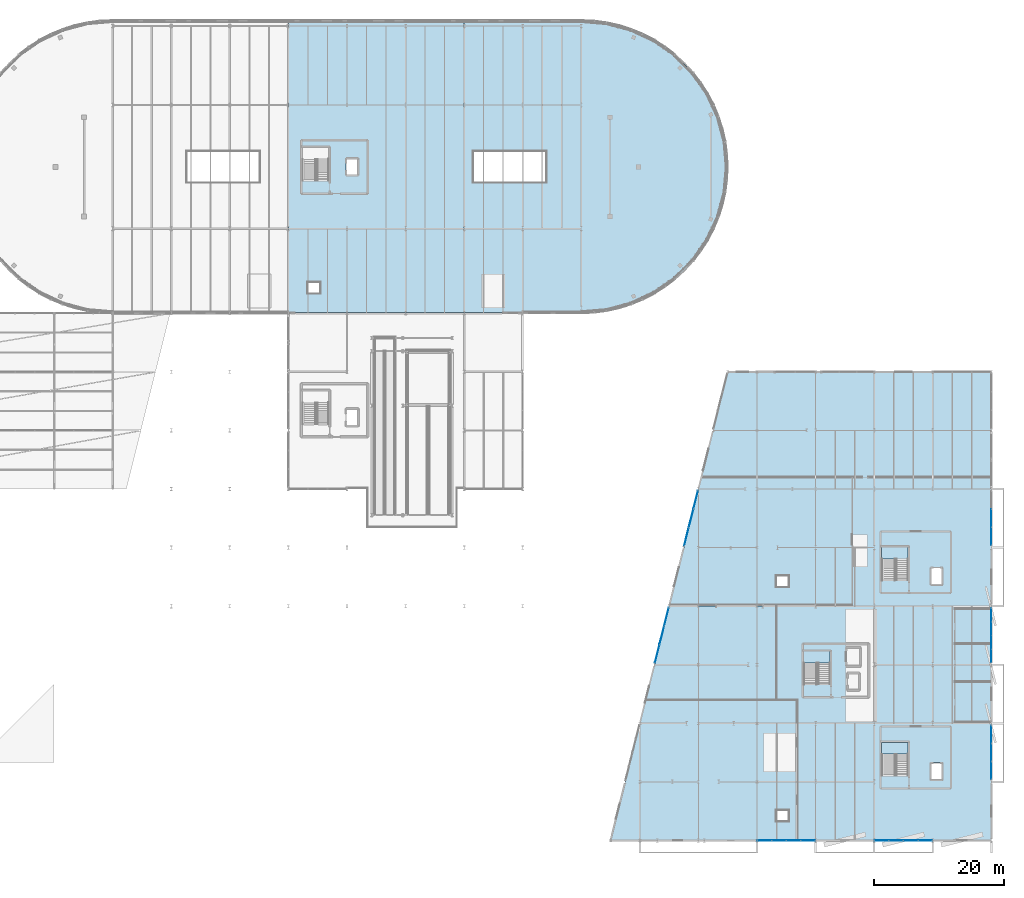
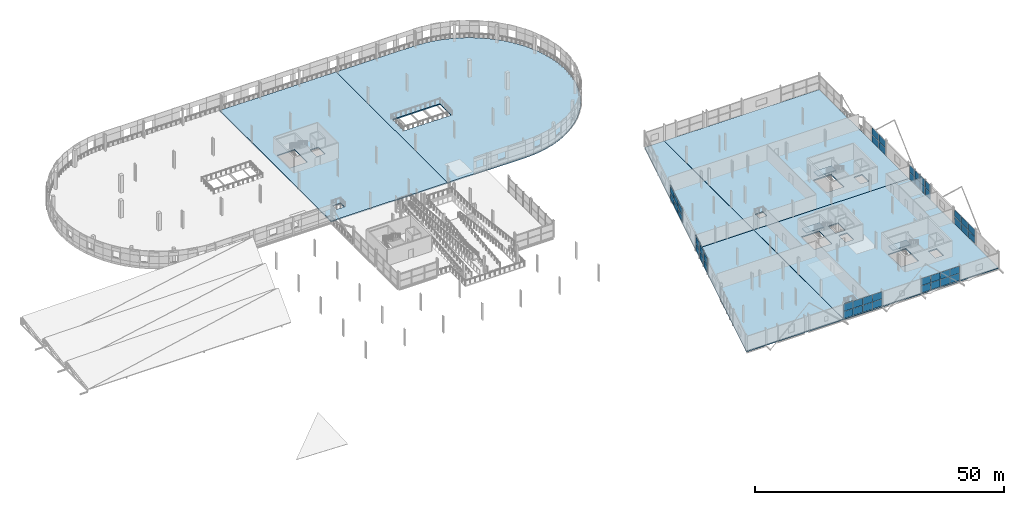
# One storey, part 73 of 103: 46 plates, 9 slabs, 10 elements without a shape of their own.
"""IFC4 building model written with IfcOpenShell, lengths in metres."""

from ifc_helpers import new_model, si_unit, direction, frame, origin, origin_2d, place, context, subcontext, project, spatial, polyline, rectangle, outline, extrude, material, layer, layer_set, type_object, element, aggregate, save


model = new_model("IFC4")

# Units and contexts
model_context = context("Model", 3, precision=1e-05, world=origin(), true_north=direction((0.0, 1.0)))
body_context = subcontext(model_context, "Body", "Model", "MODEL_VIEW")
ifc_project = project(units=[si_unit("LENGTHUNIT", "METRE"), si_unit("AREAUNIT", "SQUARE_METRE"), si_unit("VOLUMEUNIT", "CUBIC_METRE"), si_unit("PLANEANGLEUNIT", "RADIAN"), si_unit("MASSUNIT", "GRAM", prefix="KILO")], contexts=[model_context])

# Site, building, storey
site_placement = place(None, origin())
site = spatial("IfcSite", under=ifc_project, at=site_placement, CompositionType="ELEMENT")
building_placement = place(site_placement, origin())
building = spatial("IfcBuilding", under=site, at=building_placement, Name="Deido Ridge Mobility Hub", CompositionType="ELEMENT")
storey_placement = place(building_placement, frame((0.0, 0.0, 12.60009765625)))
storey = spatial("IfcBuildingStorey", under=building, at=storey_placement, Name="L03", CompositionType="ELEMENT", Elevation=12.60009765625)

# Curtain wall, plates
ifc_material_1 = material(Name="Anodised aluminium EN AW-6063 T6", Category="aluminium")
ifc_layer_1 = layer(ifc_material_1, 0.1650390625, Name="Anodised aluminium EN AW-6063 T6")
ifc_layer_set_1 = layer_set([ifc_layer_1], Name="Anodised aluminium EN AW-6063 T6")
curtain_wall_type_1 = type_object("IfcCurtainWallType", Name="CW-UF-1", PredefinedType="USERDEFINED", material=ifc_layer_set_1)
curtain_wall_1_placement = place(storey_placement, origin())
curtain_wall_1 = element("IfcCurtainWall", 1, at=curtain_wall_1_placement, inside=storey, type_object=curtain_wall_type_1, Name="Unitised curtain wall CW1", ObjectType="UNITISED FACADE", PredefinedType="USERDEFINED")
ifc_material_2 = material(Name="Laminated solar-control low-E glass", Category="glass")
ifc_layer_2 = layer(ifc_material_2, 0.02587890625, Name="Laminated solar-control low-E glass")
ifc_layer_set_2 = layer_set([ifc_layer_2], Name="Laminated solar-control low-E glass")
plate_type_1 = type_object("IfcPlateType", Name="PLT-CWP-26", PredefinedType="CURTAIN_PANEL", material=ifc_layer_set_2)
plate_1_placement = place(storey_placement, frame((145.14404296875, 0.0, 0.0498046875), z_axis=(0.0, 0.0, 1.0), x_axis=(1.0, 0.0, 0.0)))
plate_1 = element("IfcPlate", 2, at=plate_1_placement, type_object=plate_type_1, Name="CW1 panel 1.1", PredefinedType="CURTAIN_PANEL", context=body_context, shape_type="SweptSolid", body=[
    extrude(rectangle(XDim=2.1708984375, YDim=0.02587890625, at=origin_2d()), origin(), (0.0, 0.0, 1.0), 1.72509765625),
])
plate_2_placement = place(storey_placement, frame((145.14404296875, 0.0, 1.824951171875), z_axis=(0.0, 0.0, 1.0), x_axis=(1.0, 0.0, 0.0)))
plate_2 = element("IfcPlate", 3, at=plate_2_placement, type_object=plate_type_1, Name="CW1 panel 1.2", PredefinedType="CURTAIN_PANEL", context=body_context, shape_type="SweptSolid", body=[
    extrude(rectangle(XDim=2.1708984375, YDim=0.02587890625, at=origin_2d()), origin(), (0.0, 0.0, 1.0), 1.72509765625),
])
plate_3_placement = place(storey_placement, frame((147.37744140625, 0.0, 0.0498046875), z_axis=(0.0, 0.0, 1.0), x_axis=(1.0, 0.0, 0.0)))
plate_3 = element("IfcPlate", 4, at=plate_3_placement, type_object=plate_type_1, Name="CW1 panel 2.1", PredefinedType="CURTAIN_PANEL", context=body_context, shape_type="SweptSolid", body=[
    extrude(rectangle(XDim=2.19580078125, YDim=0.02587890625, at=origin_2d()), origin(), (0.0, 0.0, 1.0), 1.72509765625),
])
plate_4_placement = place(storey_placement, frame((147.37744140625, 0.0, 1.824951171875), z_axis=(0.0, 0.0, 1.0), x_axis=(1.0, 0.0, 0.0)))
plate_4 = element("IfcPlate", 5, at=plate_4_placement, type_object=plate_type_1, Name="CW1 panel 2.2", PredefinedType="CURTAIN_PANEL", context=body_context, shape_type="SweptSolid", body=[
    extrude(rectangle(XDim=2.19580078125, YDim=0.02587890625, at=origin_2d()), origin(), (0.0, 0.0, 1.0), 1.72509765625),
])
plate_5_placement = place(storey_placement, frame((149.62353515625, 0.0, 0.0498046875), z_axis=(0.0, 0.0, 1.0), x_axis=(1.0, 0.0, 0.0)))
plate_5 = element("IfcPlate", 6, at=plate_5_placement, type_object=plate_type_1, Name="CW1 panel 3.1", PredefinedType="CURTAIN_PANEL", context=body_context, shape_type="SweptSolid", body=[
    extrude(rectangle(XDim=2.19580078125, YDim=0.02587890625, at=origin_2d()), origin(), (0.0, 0.0, 1.0), 1.72509765625),
])
plate_6_placement = place(storey_placement, frame((149.62353515625, 0.0, 1.824951171875), z_axis=(0.0, 0.0, 1.0), x_axis=(1.0, 0.0, 0.0)))
plate_6 = element("IfcPlate", 7, at=plate_6_placement, type_object=plate_type_1, Name="CW1 panel 3.2", PredefinedType="CURTAIN_PANEL", context=body_context, shape_type="SweptSolid", body=[
    extrude(rectangle(XDim=2.19580078125, YDim=0.02587890625, at=origin_2d()), origin(), (0.0, 0.0, 1.0), 1.72509765625),
])
plate_7_placement = place(storey_placement, frame((151.85693359375, 0.0, 0.0498046875), z_axis=(0.0, 0.0, 1.0), x_axis=(1.0, 0.0, 0.0)))
plate_7 = element("IfcPlate", 8, at=plate_7_placement, type_object=plate_type_1, Name="CW1 panel 4.1", PredefinedType="CURTAIN_PANEL", context=body_context, shape_type="SweptSolid", body=[
    extrude(rectangle(XDim=2.1708984375, YDim=0.02587890625, at=origin_2d()), origin(), (0.0, 0.0, 1.0), 1.72509765625),
])
plate_8_placement = place(storey_placement, frame((151.85693359375, 0.0, 1.824951171875), z_axis=(0.0, 0.0, 1.0), x_axis=(1.0, 0.0, 0.0)))
plate_8 = element("IfcPlate", 9, at=plate_8_placement, type_object=plate_type_1, Name="CW1 panel 4.2", PredefinedType="CURTAIN_PANEL", context=body_context, shape_type="SweptSolid", body=[
    extrude(rectangle(XDim=2.1708984375, YDim=0.02587890625, at=origin_2d()), origin(), (0.0, 0.0, 1.0), 1.72509765625),
])
aggregate(curtain_wall_1, [plate_1, plate_2, plate_3, plate_4, plate_5, plate_6, plate_7, plate_8])

curtain_wall_2_placement = place(storey_placement, origin())
curtain_wall_2 = element("IfcCurtainWall", 10, at=curtain_wall_2_placement, inside=storey, type_object=curtain_wall_type_1, Name="Unitised curtain wall CW1", ObjectType="UNITISED FACADE", PredefinedType="USERDEFINED")
plate_9_placement = place(storey_placement, frame((180.0, 28.362548828125, 0.0498046875), z_axis=(0.0, 0.0, 1.0), x_axis=(0.0, 1.0, 0.0)))
plate_9 = element("IfcPlate", 11, at=plate_9_placement, type_object=plate_type_1, Name="CW1 panel 1.1", PredefinedType="CURTAIN_PANEL", context=body_context, shape_type="SweptSolid", body=[
    extrude(rectangle(XDim=2.02490234375, YDim=0.02587890625, at=origin_2d()), origin(), (0.0, 0.0, 1.0), 1.72509765625),
])
plate_10_placement = place(storey_placement, frame((180.0, 28.362548828125, 1.824951171875), z_axis=(0.0, 0.0, 1.0), x_axis=(0.0, 1.0, 0.0)))
plate_10 = element("IfcPlate", 12, at=plate_10_placement, type_object=plate_type_1, Name="CW1 panel 1.2", PredefinedType="CURTAIN_PANEL", context=body_context, shape_type="SweptSolid", body=[
    extrude(rectangle(XDim=2.02490234375, YDim=0.02587890625, at=origin_2d()), origin(), (0.0, 0.0, 1.0), 1.72509765625),
])
plate_11_placement = place(storey_placement, frame((180.0, 30.449951171875, 0.0498046875), z_axis=(0.0, 0.0, 1.0), x_axis=(0.0, 1.0, 0.0)))
plate_11 = element("IfcPlate", 13, at=plate_11_placement, type_object=plate_type_1, Name="CW1 panel 2.1", PredefinedType="CURTAIN_PANEL", context=body_context, shape_type="SweptSolid", body=[
    extrude(rectangle(XDim=2.050048828125, YDim=0.02587890625, at=origin_2d()), origin(), (0.0, 0.0, 1.0), 1.72509765625),
])
plate_12_placement = place(storey_placement, frame((180.0, 30.449951171875, 1.824951171875), z_axis=(0.0, 0.0, 1.0), x_axis=(0.0, 1.0, 0.0)))
plate_12 = element("IfcPlate", 14, at=plate_12_placement, type_object=plate_type_1, Name="CW1 panel 2.2", PredefinedType="CURTAIN_PANEL", context=body_context, shape_type="SweptSolid", body=[
    extrude(rectangle(XDim=2.050048828125, YDim=0.02587890625, at=origin_2d()), origin(), (0.0, 0.0, 1.0), 1.72509765625),
])
plate_13_placement = place(storey_placement, frame((180.0, 32.550048828125, 0.0498046875), z_axis=(0.0, 0.0, 1.0), x_axis=(0.0, 1.0, 0.0)))
plate_13 = element("IfcPlate", 15, at=plate_13_placement, type_object=plate_type_1, Name="CW1 panel 3.1", PredefinedType="CURTAIN_PANEL", context=body_context, shape_type="SweptSolid", body=[
    extrude(rectangle(XDim=2.050048828125, YDim=0.02587890625, at=origin_2d()), origin(), (0.0, 0.0, 1.0), 1.72509765625),
])
plate_14_placement = place(storey_placement, frame((180.0, 32.550048828125, 1.824951171875), z_axis=(0.0, 0.0, 1.0), x_axis=(0.0, 1.0, 0.0)))
plate_14 = element("IfcPlate", 16, at=plate_14_placement, type_object=plate_type_1, Name="CW1 panel 3.2", PredefinedType="CURTAIN_PANEL", context=body_context, shape_type="SweptSolid", body=[
    extrude(rectangle(XDim=2.050048828125, YDim=0.02587890625, at=origin_2d()), origin(), (0.0, 0.0, 1.0), 1.72509765625),
])
plate_15_placement = place(storey_placement, frame((180.0, 34.637451171875, 0.0498046875), z_axis=(0.0, 0.0, 1.0), x_axis=(0.0, 1.0, 0.0)))
plate_15 = element("IfcPlate", 17, at=plate_15_placement, type_object=plate_type_1, Name="CW1 panel 4.1", PredefinedType="CURTAIN_PANEL", context=body_context, shape_type="SweptSolid", body=[
    extrude(rectangle(XDim=2.02490234375, YDim=0.02587890625, at=origin_2d()), origin(), (0.0, 0.0, 1.0), 1.72509765625),
])
plate_16_placement = place(storey_placement, frame((180.0, 34.637451171875, 1.824951171875), z_axis=(0.0, 0.0, 1.0), x_axis=(0.0, 1.0, 0.0)))
plate_16 = element("IfcPlate", 18, at=plate_16_placement, type_object=plate_type_1, Name="CW1 panel 4.2", PredefinedType="CURTAIN_PANEL", context=body_context, shape_type="SweptSolid", body=[
    extrude(rectangle(XDim=2.02490234375, YDim=0.02587890625, at=origin_2d()), origin(), (0.0, 0.0, 1.0), 1.72509765625),
])
aggregate(curtain_wall_2, [plate_9, plate_10, plate_11, plate_12, plate_13, plate_14, plate_15, plate_16])

ifc_layer_3 = layer(ifc_material_1, 0.195068359375, Name="Anodised aluminium EN AW-6063 T6")
ifc_layer_set_3 = layer_set([ifc_layer_3], Name="Anodised aluminium EN AW-6063 T6")
curtain_wall_type_2 = type_object("IfcCurtainWallType", Name="CW-UF-3", PredefinedType="USERDEFINED", material=ifc_layer_set_3)
curtain_wall_3_placement = place(storey_placement, origin())
curtain_wall_3 = element("IfcCurtainWall", 19, at=curtain_wall_3_placement, inside=storey, type_object=curtain_wall_type_2, Name="Unitised curtain wall CW3", ObjectType="UNITISED FACADE", PredefinedType="USERDEFINED")
ifc_layer_4 = layer(ifc_material_2, 0.031005859375, Name="Laminated solar-control low-E glass")
ifc_layer_set_4 = layer_set([ifc_layer_4], Name="Laminated solar-control low-E glass")
plate_type_2 = type_object("IfcPlateType", Name="PLT-CWP-31", PredefinedType="CURTAIN_PANEL", material=ifc_layer_set_4)
plate_17_placement = place(storey_placement, frame((163.145751953125, 0.0, 0.059814453125), z_axis=(0.0, 0.0, 1.0), x_axis=(1.0, 0.0, 0.0)))
plate_17 = element("IfcPlate", 20, at=plate_17_placement, type_object=plate_type_2, Name="CW3 panel 1.1", PredefinedType="CURTAIN_PANEL", context=body_context, shape_type="SweptSolid", body=[
    extrude(rectangle(XDim=2.15625, YDim=0.031005859375, at=origin_2d()), origin(), (0.0, 0.0, 1.0), 1.7099609375),
])
plate_18_placement = place(storey_placement, frame((163.145751953125, 0.0, 1.829833984375), z_axis=(0.0, 0.0, 1.0), x_axis=(1.0, 0.0, 0.0)))
plate_18 = element("IfcPlate", 21, at=plate_18_placement, type_object=plate_type_2, Name="CW3 panel 1.2", PredefinedType="CURTAIN_PANEL", context=body_context, shape_type="SweptSolid", body=[
    extrude(rectangle(XDim=2.15625, YDim=0.031005859375, at=origin_2d()), origin(), (0.0, 0.0, 1.0), 1.7099609375),
])
plate_19_placement = place(storey_placement, frame((165.376953125, 0.0, 0.059814453125), z_axis=(0.0, 0.0, 1.0), x_axis=(1.0, 0.0, 0.0)))
plate_19 = element("IfcPlate", 22, at=plate_19_placement, type_object=plate_type_2, Name="CW3 panel 2.1", PredefinedType="CURTAIN_PANEL", context=body_context, shape_type="SweptSolid", body=[
    extrude(rectangle(XDim=2.18603515625, YDim=0.031005859375, at=origin_2d()), origin(), (0.0, 0.0, 1.0), 1.7099609375),
])
plate_20_placement = place(storey_placement, frame((165.376953125, 0.0, 1.829833984375), z_axis=(0.0, 0.0, 1.0), x_axis=(1.0, 0.0, 0.0)))
plate_20 = element("IfcPlate", 23, at=plate_20_placement, type_object=plate_type_2, Name="CW3 panel 2.2", PredefinedType="CURTAIN_PANEL", context=body_context, shape_type="SweptSolid", body=[
    extrude(rectangle(XDim=2.18603515625, YDim=0.031005859375, at=origin_2d()), origin(), (0.0, 0.0, 1.0), 1.7099609375),
])
plate_21_placement = place(storey_placement, frame((167.623046875, 0.0, 0.059814453125), z_axis=(0.0, 0.0, 1.0), x_axis=(1.0, 0.0, 0.0)))
plate_21 = element("IfcPlate", 24, at=plate_21_placement, type_object=plate_type_2, Name="CW3 panel 3.1", PredefinedType="CURTAIN_PANEL", context=body_context, shape_type="SweptSolid", body=[
    extrude(rectangle(XDim=2.18603515625, YDim=0.031005859375, at=origin_2d()), origin(), (0.0, 0.0, 1.0), 1.7099609375),
])
plate_22_placement = place(storey_placement, frame((167.623046875, 0.0, 1.829833984375), z_axis=(0.0, 0.0, 1.0), x_axis=(1.0, 0.0, 0.0)))
plate_22 = element("IfcPlate", 25, at=plate_22_placement, type_object=plate_type_2, Name="CW3 panel 3.2", PredefinedType="CURTAIN_PANEL", context=body_context, shape_type="SweptSolid", body=[
    extrude(rectangle(XDim=2.18603515625, YDim=0.031005859375, at=origin_2d()), origin(), (0.0, 0.0, 1.0), 1.7099609375),
])
plate_23_placement = place(storey_placement, frame((169.854248046875, 0.0, 0.059814453125), z_axis=(0.0, 0.0, 1.0), x_axis=(1.0, 0.0, 0.0)))
plate_23 = element("IfcPlate", 26, at=plate_23_placement, type_object=plate_type_2, Name="CW3 panel 4.1", PredefinedType="CURTAIN_PANEL", context=body_context, shape_type="SweptSolid", body=[
    extrude(rectangle(XDim=2.15625, YDim=0.031005859375, at=origin_2d()), origin(), (0.0, 0.0, 1.0), 1.7099609375),
])
plate_24_placement = place(storey_placement, frame((169.854248046875, 0.0, 1.829833984375), z_axis=(0.0, 0.0, 1.0), x_axis=(1.0, 0.0, 0.0)))
plate_24 = element("IfcPlate", 27, at=plate_24_placement, type_object=plate_type_2, Name="CW3 panel 4.2", PredefinedType="CURTAIN_PANEL", context=body_context, shape_type="SweptSolid", body=[
    extrude(rectangle(XDim=2.15625, YDim=0.031005859375, at=origin_2d()), origin(), (0.0, 0.0, 1.0), 1.7099609375),
])
aggregate(curtain_wall_3, [plate_17, plate_18, plate_19, plate_20, plate_21, plate_22, plate_23, plate_24])

curtain_wall_4_placement = place(storey_placement, origin())
curtain_wall_4 = element("IfcCurtainWall", 28, at=curtain_wall_4_placement, inside=storey, type_object=curtain_wall_type_2, Name="Unitised curtain wall CW3", ObjectType="UNITISED FACADE", PredefinedType="USERDEFINED")
plate_25_placement = place(storey_placement, frame((180.0, 46.715087890625, 0.059814453125), z_axis=(0.0, 0.0, 1.0), x_axis=(0.0, 1.0, 0.0)))
plate_25 = element("IfcPlate", 29, at=plate_25_placement, type_object=plate_type_2, Name="CW3 panel 1.1", PredefinedType="CURTAIN_PANEL", context=body_context, shape_type="SweptSolid", body=[
    extrude(rectangle(XDim=2.7099609375, YDim=0.031005859375, at=origin_2d()), origin(), (0.0, 0.0, 1.0), 1.7099609375),
])
plate_26_placement = place(storey_placement, frame((180.0, 46.715087890625, 1.829833984375), z_axis=(0.0, 0.0, 1.0), x_axis=(0.0, 1.0, 0.0)))
plate_26 = element("IfcPlate", 30, at=plate_26_placement, type_object=plate_type_2, Name="CW3 panel 1.2", PredefinedType="CURTAIN_PANEL", context=body_context, shape_type="SweptSolid", body=[
    extrude(rectangle(XDim=2.7099609375, YDim=0.031005859375, at=origin_2d()), origin(), (0.0, 0.0, 1.0), 1.7099609375),
])
plate_27_placement = place(storey_placement, frame((180.0, 49.5, 0.059814453125), z_axis=(0.0, 0.0, 1.0), x_axis=(0.0, 1.0, 0.0)))
plate_27 = element("IfcPlate", 31, at=plate_27_placement, type_object=plate_type_2, Name="CW3 panel 2.1", PredefinedType="CURTAIN_PANEL", context=body_context, shape_type="SweptSolid", body=[
    extrude(rectangle(XDim=2.739990234375, YDim=0.031005859375, at=origin_2d()), origin(), (0.0, 0.0, 1.0), 1.7099609375),
])
plate_28_placement = place(storey_placement, frame((180.0, 49.5, 1.829833984375), z_axis=(0.0, 0.0, 1.0), x_axis=(0.0, 1.0, 0.0)))
plate_28 = element("IfcPlate", 32, at=plate_28_placement, type_object=plate_type_2, Name="CW3 panel 2.2", PredefinedType="CURTAIN_PANEL", context=body_context, shape_type="SweptSolid", body=[
    extrude(rectangle(XDim=2.739990234375, YDim=0.031005859375, at=origin_2d()), origin(), (0.0, 0.0, 1.0), 1.7099609375),
])
aggregate(curtain_wall_4, [plate_25, plate_26, plate_27, plate_28])

ifc_layer_5 = layer(ifc_material_1, 0.2099609375, Name="Anodised aluminium EN AW-6063 T6")
ifc_layer_set_5 = layer_set([ifc_layer_5], Name="Anodised aluminium EN AW-6063 T6")
curtain_wall_type_3 = type_object("IfcCurtainWallType", Name="CW-UF-4", PredefinedType="USERDEFINED", material=ifc_layer_set_5)
curtain_wall_5_placement = place(storey_placement, origin())
curtain_wall_5 = element("IfcCurtainWall", 33, at=curtain_wall_5_placement, inside=storey, type_object=curtain_wall_type_3, Name="Unitised curtain wall CW4", ObjectType="UNITISED FACADE", PredefinedType="USERDEFINED")
plate_29_placement = place(storey_placement, frame((128.671630859375, 28.686279296875, 0.059814453125), z_axis=(0.0, 0.0, 1.0), x_axis=(0.242530284285, 0.970143835317, 0.0)))
plate_29 = element("IfcPlate", 34, at=plate_29_placement, type_object=plate_type_2, Name="CW4 panel 1.1", PredefinedType="CURTAIN_PANEL", context=body_context, shape_type="SweptSolid", body=[
    extrude(rectangle(XDim=2.84716796875, YDim=0.031005859375, at=origin_2d()), origin(), (0.0, 0.0, 1.0), 1.7099609375),
])
plate_30_placement = place(storey_placement, frame((128.671630859375, 28.686279296875, 1.829833984375), z_axis=(0.0, 0.0, 1.0), x_axis=(0.242530284285, 0.970143835317, 0.0)))
plate_30 = element("IfcPlate", 35, at=plate_30_placement, type_object=plate_type_2, Name="CW4 panel 1.2", PredefinedType="CURTAIN_PANEL", context=body_context, shape_type="SweptSolid", body=[
    extrude(rectangle(XDim=2.84716796875, YDim=0.031005859375, at=origin_2d()), origin(), (0.0, 0.0, 1.0), 1.7099609375),
])
plate_31_placement = place(storey_placement, frame((129.38037109375, 31.521240234375, 0.059814453125), z_axis=(0.0, 0.0, 1.0), x_axis=(0.242530284285, 0.970143835317, 0.0)))
plate_31 = element("IfcPlate", 36, at=plate_31_placement, type_object=plate_type_2, Name="CW4 panel 2.1", PredefinedType="CURTAIN_PANEL", context=body_context, shape_type="SweptSolid", body=[
    extrude(rectangle(XDim=2.877197265625, YDim=0.031005859375, at=origin_2d()), origin(), (0.0, 0.0, 1.0), 1.7099609375),
])
plate_32_placement = place(storey_placement, frame((129.38037109375, 31.521240234375, 1.829833984375), z_axis=(0.0, 0.0, 1.0), x_axis=(0.242530284285, 0.970143835317, 0.0)))
plate_32 = element("IfcPlate", 37, at=plate_32_placement, type_object=plate_type_2, Name="CW4 panel 2.2", PredefinedType="CURTAIN_PANEL", context=body_context, shape_type="SweptSolid", body=[
    extrude(rectangle(XDim=2.877197265625, YDim=0.031005859375, at=origin_2d()), origin(), (0.0, 0.0, 1.0), 1.7099609375),
])
plate_33_placement = place(storey_placement, frame((130.089111328125, 34.35595703125, 0.059814453125), z_axis=(0.0, 0.0, 1.0), x_axis=(0.242530284285, 0.970143835317, 0.0)))
plate_33 = element("IfcPlate", 38, at=plate_33_placement, type_object=plate_type_2, Name="CW4 panel 3.1", PredefinedType="CURTAIN_PANEL", context=body_context, shape_type="SweptSolid", body=[
    extrude(rectangle(XDim=2.84716796875, YDim=0.031005859375, at=origin_2d()), origin(), (0.0, 0.0, 1.0), 1.7099609375),
])
plate_34_placement = place(storey_placement, frame((130.089111328125, 34.35595703125, 1.829833984375), z_axis=(0.0, 0.0, 1.0), x_axis=(0.242530284285, 0.970143835317, 0.0)))
plate_34 = element("IfcPlate", 39, at=plate_34_placement, type_object=plate_type_2, Name="CW4 panel 3.2", PredefinedType="CURTAIN_PANEL", context=body_context, shape_type="SweptSolid", body=[
    extrude(rectangle(XDim=2.84716796875, YDim=0.031005859375, at=origin_2d()), origin(), (0.0, 0.0, 1.0), 1.7099609375),
])
aggregate(curtain_wall_5, [plate_29, plate_30, plate_31, plate_32, plate_33, plate_34])

ifc_layer_6 = layer(ifc_material_1, 0.239990234375, Name="Anodised aluminium EN AW-6063 T6")
ifc_layer_set_6 = layer_set([ifc_layer_6], Name="Anodised aluminium EN AW-6063 T6")
curtain_wall_type_4 = type_object("IfcCurtainWallType", Name="CW-UF-6", PredefinedType="USERDEFINED", material=ifc_layer_set_6)
curtain_wall_6_placement = place(storey_placement, origin())
curtain_wall_6 = element("IfcCurtainWall", 40, at=curtain_wall_6_placement, inside=storey, type_object=curtain_wall_type_4, Name="Unitised curtain wall CW6", ObjectType="UNITISED FACADE", PredefinedType="USERDEFINED")
ifc_layer_7 = layer(ifc_material_2, 0.034912109375, Name="Laminated solar-control low-E glass")
ifc_layer_set_7 = layer_set([ifc_layer_7], Name="Laminated solar-control low-E glass")
plate_type_3 = type_object("IfcPlateType", Name="PLT-CWP-35", PredefinedType="CURTAIN_PANEL", material=ifc_layer_set_7)
plate_35_placement = place(storey_placement, frame((133.163330078125, 46.653564453125, 0.06982421875), z_axis=(0.0, 0.0, 1.0), x_axis=(0.242530310632, 0.970143828731, 0.0)))
plate_35 = element("IfcPlate", 41, at=plate_35_placement, type_object=plate_type_3, Name="CW6 panel 1.1", PredefinedType="CURTAIN_PANEL", context=body_context, shape_type="SweptSolid", body=[
    extrude(rectangle(XDim=2.8466796875, YDim=0.034912109375, at=origin_2d()), origin(), (0.0, 0.0, 1.0), 1.6201171875),
])
plate_36_placement = place(storey_placement, frame((133.163330078125, 46.653564453125, 1.759765625), z_axis=(0.0, 0.0, 1.0), x_axis=(0.242530310632, 0.970143828731, 0.0)))
plate_36 = element("IfcPlate", 42, at=plate_36_placement, type_object=plate_type_3, Name="CW6 panel 1.2", PredefinedType="CURTAIN_PANEL", context=body_context, shape_type="SweptSolid", body=[
    extrude(rectangle(XDim=2.8466796875, YDim=0.034912109375, at=origin_2d()), origin(), (0.0, 0.0, 1.0), 1.6201171875),
])
plate_37_placement = place(storey_placement, frame((133.875, 49.5, 0.06982421875), z_axis=(0.0, 0.0, 1.0), x_axis=(0.242530310632, 0.970143828731, 0.0)))
plate_37 = element("IfcPlate", 43, at=plate_37_placement, type_object=plate_type_3, Name="CW6 panel 2.1", PredefinedType="CURTAIN_PANEL", context=body_context, shape_type="SweptSolid", body=[
    extrude(rectangle(XDim=2.881591796875, YDim=0.034912109375, at=origin_2d()), origin(), (0.0, 0.0, 1.0), 1.6201171875),
])
plate_38_placement = place(storey_placement, frame((133.875, 49.5, 1.759765625), z_axis=(0.0, 0.0, 1.0), x_axis=(0.242530310632, 0.970143828731, 0.0)))
plate_38 = element("IfcPlate", 44, at=plate_38_placement, type_object=plate_type_3, Name="CW6 panel 2.2", PredefinedType="CURTAIN_PANEL", context=body_context, shape_type="SweptSolid", body=[
    extrude(rectangle(XDim=2.881591796875, YDim=0.034912109375, at=origin_2d()), origin(), (0.0, 0.0, 1.0), 1.6201171875),
])
plate_39_placement = place(storey_placement, frame((134.586669921875, 52.346435546875, 0.06982421875), z_axis=(0.0, 0.0, 1.0), x_axis=(0.242530310632, 0.970143828731, 0.0)))
plate_39 = element("IfcPlate", 45, at=plate_39_placement, type_object=plate_type_3, Name="CW6 panel 3.1", PredefinedType="CURTAIN_PANEL", context=body_context, shape_type="SweptSolid", body=[
    extrude(rectangle(XDim=2.8466796875, YDim=0.034912109375, at=origin_2d()), origin(), (0.0, 0.0, 1.0), 1.6201171875),
])
plate_40_placement = place(storey_placement, frame((134.586669921875, 52.346435546875, 1.759765625), z_axis=(0.0, 0.0, 1.0), x_axis=(0.242530310632, 0.970143828731, 0.0)))
plate_40 = element("IfcPlate", 46, at=plate_40_placement, type_object=plate_type_3, Name="CW6 panel 3.2", PredefinedType="CURTAIN_PANEL", context=body_context, shape_type="SweptSolid", body=[
    extrude(rectangle(XDim=2.8466796875, YDim=0.034912109375, at=origin_2d()), origin(), (0.0, 0.0, 1.0), 1.6201171875),
])
aggregate(curtain_wall_6, [plate_35, plate_36, plate_37, plate_38, plate_39, plate_40])

ifc_layer_8 = layer(ifc_material_1, 0.2548828125, Name="Anodised aluminium EN AW-6063 T6")
ifc_layer_set_8 = layer_set([ifc_layer_8], Name="Anodised aluminium EN AW-6063 T6")
curtain_wall_type_5 = type_object("IfcCurtainWallType", Name="CW-UF-7", PredefinedType="USERDEFINED", material=ifc_layer_set_8)
curtain_wall_7_placement = place(storey_placement, origin())
curtain_wall_7 = element("IfcCurtainWall", 47, at=curtain_wall_7_placement, inside=storey, type_object=curtain_wall_type_5, Name="Unitised curtain wall CW7", ObjectType="UNITISED FACADE", PredefinedType="USERDEFINED")
ifc_layer_9 = layer(ifc_material_2, 0.0390625, Name="Laminated solar-control low-E glass")
ifc_layer_set_9 = layer_set([ifc_layer_9], Name="Laminated solar-control low-E glass")
plate_type_4 = type_object("IfcPlateType", Name="PLT-CWP-39", PredefinedType="CURTAIN_PANEL", material=ifc_layer_set_9)
plate_41_placement = place(storey_placement, frame((180.0, 10.719970703125, 0.080078125), z_axis=(0.0, 0.0, 1.0), x_axis=(0.0, 1.0, 0.0)))
plate_41 = element("IfcPlate", 48, at=plate_41_placement, type_object=plate_type_4, Name="CW7 panel 1.1", PredefinedType="CURTAIN_PANEL", context=body_context, shape_type="SweptSolid", body=[
    extrude(rectangle(XDim=2.679931640625, YDim=0.0390625, at=origin_2d()), origin(), (0.0, 0.0, 1.0), 1.679931640625),
])
plate_42_placement = place(storey_placement, frame((180.0, 10.719970703125, 1.83984375), z_axis=(0.0, 0.0, 1.0), x_axis=(0.0, 1.0, 0.0)))
plate_42 = element("IfcPlate", 49, at=plate_42_placement, type_object=plate_type_4, Name="CW7 panel 1.2", PredefinedType="CURTAIN_PANEL", context=body_context, shape_type="SweptSolid", body=[
    extrude(rectangle(XDim=2.679931640625, YDim=0.0390625, at=origin_2d()), origin(), (0.0, 0.0, 1.0), 1.679931640625),
])
plate_43_placement = place(storey_placement, frame((180.0, 13.5, 0.080078125), z_axis=(0.0, 0.0, 1.0), x_axis=(0.0, 1.0, 0.0)))
plate_43 = element("IfcPlate", 50, at=plate_43_placement, type_object=plate_type_4, Name="CW7 panel 2.1", PredefinedType="CURTAIN_PANEL", context=body_context, shape_type="SweptSolid", body=[
    extrude(rectangle(XDim=2.719970703125, YDim=0.0390625, at=origin_2d()), origin(), (0.0, 0.0, 1.0), 1.679931640625),
])
plate_44_placement = place(storey_placement, frame((180.0, 13.5, 1.83984375), z_axis=(0.0, 0.0, 1.0), x_axis=(0.0, 1.0, 0.0)))
plate_44 = element("IfcPlate", 51, at=plate_44_placement, type_object=plate_type_4, Name="CW7 panel 2.2", PredefinedType="CURTAIN_PANEL", context=body_context, shape_type="SweptSolid", body=[
    extrude(rectangle(XDim=2.719970703125, YDim=0.0390625, at=origin_2d()), origin(), (0.0, 0.0, 1.0), 1.679931640625),
])
plate_45_placement = place(storey_placement, frame((180.0, 16.280029296875, 0.080078125), z_axis=(0.0, 0.0, 1.0), x_axis=(0.0, 1.0, 0.0)))
plate_45 = element("IfcPlate", 52, at=plate_45_placement, type_object=plate_type_4, Name="CW7 panel 3.1", PredefinedType="CURTAIN_PANEL", context=body_context, shape_type="SweptSolid", body=[
    extrude(rectangle(XDim=2.679931640625, YDim=0.0390625, at=origin_2d()), origin(), (0.0, 0.0, 1.0), 1.679931640625),
])
plate_46_placement = place(storey_placement, frame((180.0, 16.280029296875, 1.83984375), z_axis=(0.0, 0.0, 1.0), x_axis=(0.0, 1.0, 0.0)))
plate_46 = element("IfcPlate", 53, at=plate_46_placement, type_object=plate_type_4, Name="CW7 panel 3.2", PredefinedType="CURTAIN_PANEL", context=body_context, shape_type="SweptSolid", body=[
    extrude(rectangle(XDim=2.679931640625, YDim=0.0390625, at=origin_2d()), origin(), (0.0, 0.0, 1.0), 1.679931640625),
])
aggregate(curtain_wall_7, [plate_41, plate_42, plate_43, plate_44, plate_45, plate_46])

# Slabs
ifc_material_3 = material(Name="Concrete C35/45", Category="concrete")
ifc_layer_10 = layer(ifc_material_3, 0.264892578125, Name="Concrete C35/45")
ifc_layer_set_10 = layer_set([ifc_layer_10], Name="Concrete C35/45")
slab_type_1 = type_object("IfcSlabType", Name="SLB-FLR-265", PredefinedType="FLOOR", material=ifc_layer_set_10)
slab_1_placement = place(storey_placement, frame((0.0, 0.0, -0.26513671875)))
element("IfcSlab", 54, at=slab_1_placement, inside=storey, type_object=slab_type_1, Name="L03 V4 structural deck 47", PredefinedType="FLOOR", context=body_context, shape_type="SweptSolid", body=[
    extrude(outline(polyline([(99.0, 81.10009765625), (72.02490234375, 81.10009765625), (72.02490234375, 125.89990234375), (99.0, 125.89990234375), (99.0, 81.10009765625)]), holes=[polyline([(75.02490234375, 84.10009765625), (75.02490234375, 85.699951171875), (76.824951171875, 85.699951171875), (76.824951171875, 84.10009765625), (75.02490234375, 84.10009765625)]), polyline([(80.85009765625, 102.14990234375), (80.85009765625, 104.85009765625), (82.75, 104.85009765625), (82.75, 102.14990234375), (80.85009765625, 102.14990234375)]), polyline([(74.139892578125, 101.39990234375), (74.139892578125, 106.5), (78.239990234375, 106.5), (78.239990234375, 101.39990234375), (74.139892578125, 101.39990234375)])]), origin(), (0.0, 0.0, 1.0), 0.26513671875),
])
slab_2_placement = place(storey_placement, frame((0.0, 0.0, -0.26513671875)))
element("IfcSlab", 55, at=slab_2_placement, inside=storey, type_object=slab_type_1, Name="L03 V4 structural deck 48", PredefinedType="FLOOR", context=body_context, shape_type="SweptSolid", body=[
    extrude(outline(polyline([(119.34130859375, 125.77734375), (121.6572265625, 125.410400390625), (123.922119140625, 124.8037109375), (126.11083984375, 123.96337890625), (128.199951171875, 122.89892578125), (130.16650390625, 121.6220703125), (131.988525390625, 120.146484375), (133.646484375, 118.488525390625), (135.1220703125, 116.66650390625), (136.39892578125, 114.699951171875), (137.46337890625, 112.61083984375), (138.3037109375, 110.422119140625), (138.910400390625, 108.1572265625), (139.27734375, 105.84130859375), (139.39990234375, 103.5), (139.27734375, 101.15869140625), (138.910400390625, 98.8427734375), (138.3037109375, 96.577880859375), (137.46337890625, 94.38916015625), (136.39892578125, 92.300048828125), (135.1220703125, 90.33349609375), (133.646484375, 88.511474609375), (131.988525390625, 86.853515625), (130.16650390625, 85.3779296875), (128.199951171875, 84.10107421875), (126.11083984375, 83.03662109375), (123.922119140625, 82.1962890625), (121.6572265625, 81.589599609375), (119.34130859375, 81.22265625), (117.0, 81.10009765625), (99.0, 81.10009765625), (99.0, 125.89990234375), (117.0, 125.89990234375), (119.34130859375, 125.77734375)]), holes=[polyline([(100.5, 101.199951171875), (100.5, 105.800048828125), (111.5, 105.800048828125), (111.5, 101.199951171875), (100.5, 101.199951171875)])]), origin(), (0.0, 0.0, 1.0), 0.26513671875),
])
slab_3_placement = place(storey_placement, frame((0.0, 0.0, -0.26513671875)))
element("IfcSlab", 56, at=slab_3_placement, inside=storey, type_object=slab_type_1, Name="L03 V6 structural deck 49", PredefinedType="FLOOR", context=body_context, shape_type="SweptSolid", body=[
    extrude(outline(polyline([(130.5, 36.0), (143.97509765625, 36.0), (143.97509765625, 0.0), (121.5, 0.0), (130.5, 36.0)])), origin(), (0.0, 0.0, 1.0), 0.26513671875),
])
slab_4_placement = place(storey_placement, frame((0.0, 0.0, -0.26513671875)))
element("IfcSlab", 57, at=slab_4_placement, inside=storey, type_object=slab_type_1, Name="L03 V6 structural deck 50", PredefinedType="FLOOR", context=body_context, shape_type="SweptSolid", body=[
    extrude(outline(polyline([(180.0, 36.0), (180.0, 0.0), (144.02490234375, 0.0), (144.02490234375, 36.0), (180.0, 36.0)]), holes=[polyline([(147.02490234375, 3.0), (147.02490234375, 4.60009765625), (148.824951171875, 4.60009765625), (148.824951171875, 3.0), (147.02490234375, 3.0)]), polyline([(170.64990234375, 9.25), (170.64990234375, 11.949951171875), (172.550048828125, 11.949951171875), (172.550048828125, 9.25), (170.64990234375, 9.25)]), polyline([(163.139892578125, 10.0), (163.139892578125, 15.10009765625), (167.239990234375, 15.10009765625), (167.239990234375, 10.0), (163.139892578125, 10.0)]), polyline([(157.85009765625, 23.050048828125), (157.85009765625, 25.75), (159.75, 25.75), (159.75, 23.050048828125), (157.85009765625, 23.050048828125)]), polyline([(151.139892578125, 24.0), (151.139892578125, 29.10009765625), (155.239990234375, 29.10009765625), (155.239990234375, 24.0), (151.139892578125, 24.0)]), polyline([(157.64990234375, 26.75), (157.64990234375, 29.64990234375), (159.949951171875, 29.64990234375), (159.949951171875, 26.75), (157.64990234375, 26.75)])]), origin(), (0.0, 0.0, 1.0), 0.26513671875),
])
slab_5_placement = place(storey_placement, frame((0.0, 0.0, -0.26513671875)))
element("IfcSlab", 58, at=slab_5_placement, inside=storey, type_object=slab_type_1, Name="L03 V6 structural deck 51", PredefinedType="FLOOR", context=body_context, shape_type="SweptSolid", body=[
    extrude(outline(polyline([(143.97509765625, 72.0), (143.97509765625, 36.0), (130.5, 36.0), (139.5, 72.0), (143.97509765625, 72.0)])), origin(), (0.0, 0.0, 1.0), 0.26513671875),
])
slab_6_placement = place(storey_placement, frame((0.0, 0.0, -0.26513671875)))
element("IfcSlab", 59, at=slab_6_placement, inside=storey, type_object=slab_type_1, Name="L03 V6 structural deck 52", PredefinedType="FLOOR", context=body_context, shape_type="SweptSolid", body=[
    extrude(outline(polyline([(180.0, 72.0), (180.0, 36.0), (144.02490234375, 36.0), (144.02490234375, 72.0), (180.0, 72.0)]), holes=[polyline([(147.02490234375, 39.0), (147.02490234375, 40.60009765625), (148.824951171875, 40.60009765625), (148.824951171875, 39.0), (147.02490234375, 39.0)]), polyline([(170.64990234375, 39.25), (170.64990234375, 41.949951171875), (172.550048828125, 41.949951171875), (172.550048828125, 39.25), (170.64990234375, 39.25)]), polyline([(163.139892578125, 40.0), (163.139892578125, 45.10009765625), (167.239990234375, 45.10009765625), (167.239990234375, 40.0), (163.139892578125, 40.0)])]), origin(), (0.0, 0.0, 1.0), 0.26513671875),
])

# Stair, slab
stair_type = type_object("IfcStairType", Name="ST-CORE-HALF-1520", PredefinedType="HALF_TURN_STAIR", material=ifc_material_3)
stair_1_placement = place(storey_placement, origin())
stair_1 = element("IfcStair", 60, at=stair_1_placement, inside=storey, type_object=stair_type, Name="Protected exit stair ST1 (L03)", PredefinedType="HALF_TURN_STAIR")
ifc_layer_11 = layer(ifc_material_3, 0.199951171875, Name="Concrete C35/45")
ifc_layer_set_11 = layer_set([ifc_layer_11], Name="Concrete C35/45")
slab_type_2 = type_object("IfcSlabType", Name="SLB-STLND-200", PredefinedType="LANDING", material=ifc_layer_set_11)
slab_7_placement = place(storey_placement, frame((0.0, 0.0, 1.89990234375)))
slab_7 = element("IfcSlab", 61, at=slab_7_placement, type_object=slab_type_2, Name="ST1 landing 1", PredefinedType="LANDING", context=body_context, shape_type="SweptSolid", body=[
    extrude(outline(polyline([(163.16259765625, 13.25), (167.235107421875, 13.25), (167.235107421875, 15.074951171875), (163.16259765625, 15.074951171875), (163.16259765625, 13.25)])), origin(), (0.0, 0.0, 1.0), 0.199951171875),
])
aggregate(stair_1, [slab_7])

stair_2_placement = place(storey_placement, origin())
stair_2 = element("IfcStair", 62, at=stair_2_placement, inside=storey, type_object=stair_type, Name="Protected exit stair ST2 (L03)", PredefinedType="HALF_TURN_STAIR")
slab_8_placement = place(storey_placement, frame((0.0, 0.0, 1.89990234375)))
slab_8 = element("IfcSlab", 63, at=slab_8_placement, type_object=slab_type_2, Name="ST2 landing 1", PredefinedType="LANDING", context=body_context, shape_type="SweptSolid", body=[
    extrude(outline(polyline([(163.16259765625, 43.25), (167.235107421875, 43.25), (167.235107421875, 45.074951171875), (163.16259765625, 45.074951171875), (163.16259765625, 43.25)])), origin(), (0.0, 0.0, 1.0), 0.199951171875),
])
aggregate(stair_2, [slab_8])

stair_3_placement = place(storey_placement, origin())
stair_3 = element("IfcStair", 64, at=stair_3_placement, inside=storey, type_object=stair_type, Name="Protected exit stair ST3 (L03)", PredefinedType="HALF_TURN_STAIR")
slab_9_placement = place(storey_placement, frame((0.0, 0.0, 1.89990234375)))
slab_9 = element("IfcSlab", 65, at=slab_9_placement, type_object=slab_type_2, Name="ST3 landing 1", PredefinedType="LANDING", context=body_context, shape_type="SweptSolid", body=[
    extrude(outline(polyline([(151.14990234375, 27.25), (155.235107421875, 27.25), (155.235107421875, 29.074951171875), (151.14990234375, 29.074951171875), (151.14990234375, 27.25)])), origin(), (0.0, 0.0, 1.0), 0.199951171875),
])
aggregate(stair_3, [slab_9])

save(model, "model.ifc")
